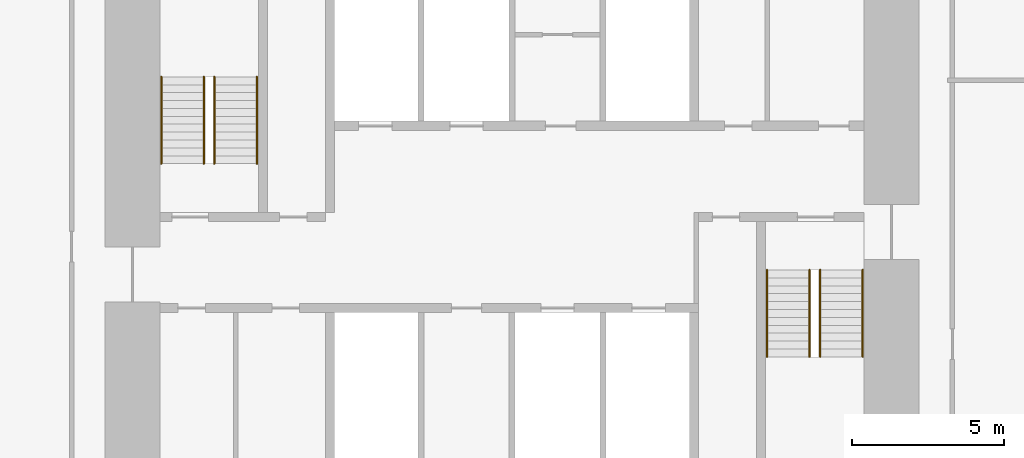
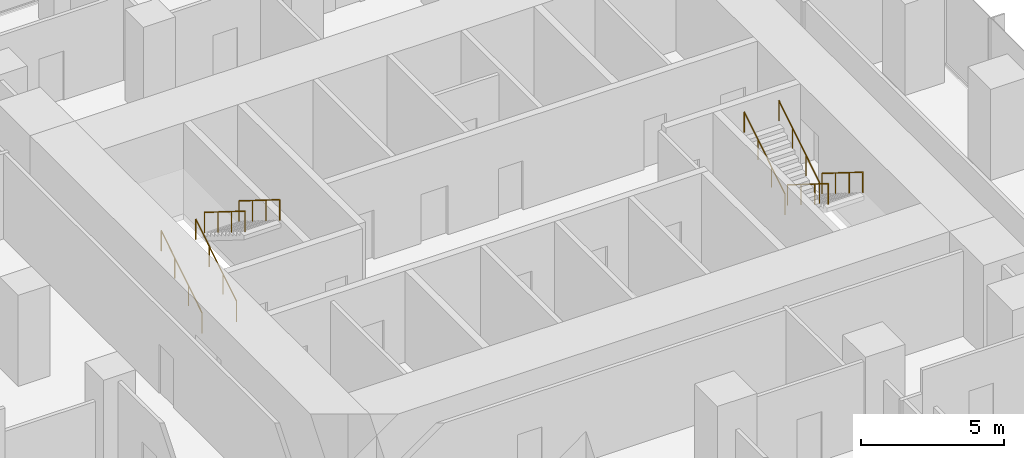
# One storey, part 12 of 12: 8 railings.
"""IFC4 building model written with IfcOpenShell, lengths in metres."""

from ifc_helpers import new_model, si_unit, direction, frame, origin, origin_2d, place, context, subcontext, project, spatial, circle, extrude, material, type_object, element, save


model = new_model("IFC4")

# Units and contexts
model_context = context("Model", 3, precision=1e-05, world=origin(), true_north=direction((0.0, 1.0)))
body_context = subcontext(model_context, "Body", "Model", "MODEL_VIEW")
ifc_project = project(units=[si_unit("LENGTHUNIT", "METRE"), si_unit("AREAUNIT", "SQUARE_METRE"), si_unit("VOLUMEUNIT", "CUBIC_METRE"), si_unit("PLANEANGLEUNIT", "RADIAN"), si_unit("MASSUNIT", "GRAM", prefix="KILO")], contexts=[model_context])

# Site, building, storey
site_placement = place(None, origin())
site = spatial("IfcSite", under=ifc_project, at=site_placement, CompositionType="ELEMENT")
building_placement = place(site_placement, origin())
building = spatial("IfcBuilding", under=site, at=building_placement, Name="Highveld Stack Headquarters", CompositionType="ELEMENT")
storey_placement = place(building_placement, frame((0.0, 0.0, 231.800048828125)))
storey = spatial("IfcBuildingStorey", under=building, at=storey_placement, Name="L57", CompositionType="ELEMENT", Elevation=231.800048828125)

# Railings
ifc_material = material(Name="Stainless steel handrail", Category="steel")
railing_type = type_object("IfcRailingType", Name="STAIR HANDRAIL HR1 900", PredefinedType="HANDRAIL", material=ifc_material)
for number, where, name in (
    (1, (-5.550048828125, 4.75, 0.162353515625), "Handrail S1 L57 flight 1"),
    (2, (-4.14990234375, 4.75, 0.162353515625), "Handrail S1 L57 flight 1"),
):
    element("IfcRailing", number, at=place(storey_placement, frame(where)), inside=storey, type_object=railing_type, Name=name, PredefinedType="HANDRAIL", context=body_context, shape_type="SweptSolid", body=[
        extrude(circle(Radius=0.02392578125, at=origin_2d()), frame((0.0, 0.0, 0.8759765625), z_axis=(0.0, 0.847994237388, 0.530005446535), x_axis=(-1.0, 0.0, 0.0)), (0.0, 0.0, 1.0), 3.372802734375),
        extrude(circle(Radius=0.02099609375, at=origin_2d()), origin(), (0.0, 0.0, 1.0), 0.851806640625),
        extrude(circle(Radius=0.02099609375, at=origin_2d()), frame((0.0, 0.953369140625, 0.595947265625)), (0.0, 0.0, 1.0), 0.851806640625),
        extrude(circle(Radius=0.02099609375, at=origin_2d()), frame((0.0, 1.90673828125, 1.191650390625)), (0.0, 0.0, 1.0), 0.851806640625),
        extrude(circle(Radius=0.02099609375, at=origin_2d()), frame((0.0, 2.860107421875, 1.78759765625)), (0.0, 0.0, 1.0), 0.851806640625),
    ])
for number, where, name in (
    (3, (-3.800048828125, 7.610107421875, 2.112548828125), "Handrail S1 L57 flight 2"),
    (4, (-2.39990234375, 7.610107421875, 2.112548828125), "Handrail S1 L57 flight 2"),
):
    element("IfcRailing", number, at=place(storey_placement, frame(where)), inside=storey, type_object=railing_type, Name=name, PredefinedType="HANDRAIL", context=body_context, shape_type="SweptSolid", body=[
        extrude(circle(Radius=0.02392578125, at=origin_2d()), frame((0.0, 0.0, 0.8759765625), z_axis=(0.0, -0.848026770018, 0.529953391661), x_axis=(1.0, 0.0, 0.0)), (0.0, 0.0, 1.0), 3.37255859375),
        extrude(circle(Radius=0.02099609375, at=origin_2d()), origin(), (0.0, 0.0, 1.0), 0.851806640625),
        extrude(circle(Radius=0.02099609375, at=origin_2d()), frame((0.0, -0.953369140625, 0.595703125)), (0.0, 0.0, 1.0), 0.851806640625),
        extrude(circle(Radius=0.02099609375, at=origin_2d()), frame((0.0, -1.90673828125, 1.191650390625)), (0.0, 0.0, 1.0), 0.851806640625),
        extrude(circle(Radius=0.02099609375, at=origin_2d()), frame((0.0, -2.860107421875, 1.787353515625)), (0.0, 0.0, 1.0), 0.851806640625),
    ])
for number, where, name in (
    (5, (16.14990234375, 1.25, 0.162353515625), "Handrail S2 L57 flight 1"),
    (6, (17.550048828125, 1.25, 0.162353515625), "Handrail S2 L57 flight 1"),
):
    element("IfcRailing", number, at=place(storey_placement, frame(where)), inside=storey, type_object=railing_type, Name=name, PredefinedType="HANDRAIL", context=body_context, shape_type="SweptSolid", body=[
        extrude(circle(Radius=0.02392578125, at=origin_2d()), frame((0.0, 0.0, 0.8759765625), z_axis=(0.0, -0.847994237388, 0.530005446535), x_axis=(1.0, 0.0, 0.0)), (0.0, 0.0, 1.0), 3.372802734375),
        extrude(circle(Radius=0.02099609375, at=origin_2d()), origin(), (0.0, 0.0, 1.0), 0.851806640625),
        extrude(circle(Radius=0.02099609375, at=origin_2d()), frame((0.0, -0.953369140625, 0.595947265625)), (0.0, 0.0, 1.0), 0.851806640625),
        extrude(circle(Radius=0.02099609375, at=origin_2d()), frame((0.0, -1.90673828125, 1.191650390625)), (0.0, 0.0, 1.0), 0.851806640625),
        extrude(circle(Radius=0.02099609375, at=origin_2d()), frame((0.0, -2.860107421875, 1.78759765625)), (0.0, 0.0, 1.0), 0.851806640625),
    ])
for number, where, name in (
    (7, (14.39990234375, -1.610107421875, 2.112548828125), "Handrail S2 L57 flight 2"),
    (8, (15.800048828125, -1.610107421875, 2.112548828125), "Handrail S2 L57 flight 2"),
):
    element("IfcRailing", number, at=place(storey_placement, frame(where)), inside=storey, type_object=railing_type, Name=name, PredefinedType="HANDRAIL", context=body_context, shape_type="SweptSolid", body=[
        extrude(circle(Radius=0.02392578125, at=origin_2d()), frame((0.0, 0.0, 0.8759765625), z_axis=(0.0, 0.848026770018, 0.529953391661), x_axis=(-1.0, 0.0, 0.0)), (0.0, 0.0, 1.0), 3.37255859375),
        extrude(circle(Radius=0.02099609375, at=origin_2d()), origin(), (0.0, 0.0, 1.0), 0.851806640625),
        extrude(circle(Radius=0.02099609375, at=origin_2d()), frame((0.0, 0.953369140625, 0.595703125)), (0.0, 0.0, 1.0), 0.851806640625),
        extrude(circle(Radius=0.02099609375, at=origin_2d()), frame((0.0, 1.90673828125, 1.191650390625)), (0.0, 0.0, 1.0), 0.851806640625),
        extrude(circle(Radius=0.02099609375, at=origin_2d()), frame((0.0, 2.860107421875, 1.787353515625)), (0.0, 0.0, 1.0), 0.851806640625),
    ])

save(model, "model.ifc")
